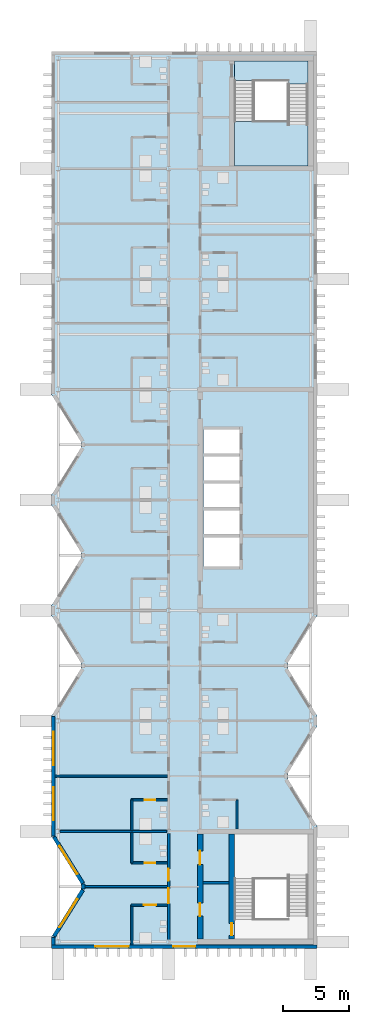
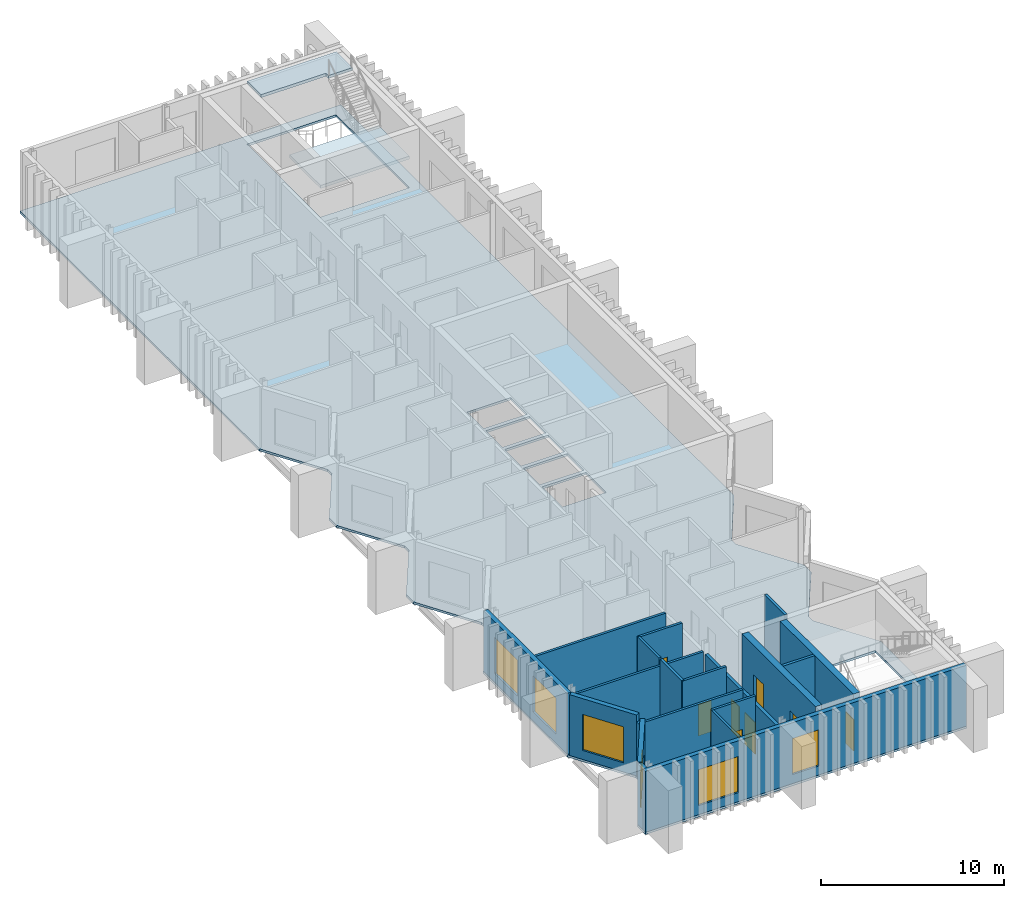
# One storey, part 4 of 11: 20 walls, 8 doors, 6 windows, 3 slabs, 14 openings, 1 element without a shape of its own.
"""IFC4 building model written with IfcOpenShell, lengths in metres."""

from ifc_helpers import new_model, si_unit, direction, frame, frame_2d, origin, place, context, subcontext, project, spatial, polyline, rectangle, outline, extrude, material, layer, layer_set, type_object, element, fill, aggregate, save


model = new_model("IFC4")

# Units and contexts
model_context = context("Model", 3, precision=1e-05, world=origin(), true_north=direction((0.0, 1.0)))
body_context = subcontext(model_context, "Body", "Model", "MODEL_VIEW")
ifc_project = project(units=[si_unit("LENGTHUNIT", "METRE"), si_unit("AREAUNIT", "SQUARE_METRE"), si_unit("VOLUMEUNIT", "CUBIC_METRE"), si_unit("PLANEANGLEUNIT", "RADIAN"), si_unit("MASSUNIT", "GRAM", prefix="KILO")], contexts=[model_context])

# Site, building, storey
site_placement = place(None, origin())
site = spatial("IfcSite", under=ifc_project, at=site_placement, CompositionType="ELEMENT")
building_placement = place(site_placement, origin())
building = spatial("IfcBuilding", under=site, at=building_placement, Name="Cresset Court Congress Hotel", CompositionType="ELEMENT")
storey_placement = place(building_placement, frame((0.0, 0.0, 52.199951171875)))
storey = spatial("IfcBuildingStorey", under=building, at=storey_placement, Name="L12", CompositionType="ELEMENT", Elevation=52.199951171875)

# Slab
ifc_material_1 = material(Name="Concrete C35", Category="concrete")
ifc_layer_1 = layer(ifc_material_1, 0.14990234375)
ifc_layer_set_1 = layer_set([ifc_layer_1], Name="Composite floor slab 150")
slab_type_1 = type_object("IfcSlabType", Name="Composite floor slab 150", PredefinedType="FLOOR", material=ifc_layer_set_1)
slab_1_placement = place(storey_placement, frame((0.0, 0.0, -0.14990234375)))
element("IfcSlab", 1, at=slab_1_placement, inside=storey, type_object=slab_type_1, Name="A.slab.L12", PredefinedType="FLOOR", context=body_context, shape_type="SweptSolid", body=[
    extrude(outline(polyline([(156.699951171875, -0.5), (176.89990234375, -0.5), (176.89990234375, 8.7900390625), (174.665283203125, 12.375), (174.665283203125, 12.824951171875), (176.89990234375, 16.409912109375), (176.89990234375, 17.190185546875), (174.665283203125, 20.77490234375), (174.665283203125, 21.22509765625), (176.89990234375, 24.809814453125), (176.89990234375, 67.699951171875), (156.699951171875, 67.699951171875), (156.699951171875, 41.60986328125), (158.934814453125, 38.02490234375), (158.934814453125, 37.574951171875), (156.699951171875, 33.989990234375), (156.699951171875, 33.2099609375), (158.934814453125, 29.625), (158.934814453125, 29.175048828125), (156.699951171875, 25.590087890625), (156.699951171875, 24.809814453125), (158.934814453125, 21.22509765625), (158.934814453125, 20.77490234375), (156.699951171875, 17.190185546875), (156.699951171875, 8.010009765625), (158.934814453125, 4.425048828125), (158.934814453125, 3.97509765625), (156.699951171875, 0.39013671875), (156.699951171875, -0.5)]), holes=[polyline([(170.60009765625, 0.199951171875), (176.199951171875, 0.199951171875), (176.199951171875, 8.199951171875), (170.60009765625, 8.199951171875), (170.60009765625, 0.199951171875)]), polyline([(170.60009765625, 59.0), (176.199951171875, 59.0), (176.199951171875, 67.0), (170.60009765625, 67.0), (170.60009765625, 59.0)]), polyline([(168.25, 28.550048828125), (171.0, 28.550048828125), (171.0, 30.75), (168.25, 30.75), (168.25, 28.550048828125)]), polyline([(168.25, 31.0), (171.0, 31.0), (171.0, 32.800048828125), (168.25, 32.800048828125), (168.25, 31.0)]), polyline([(168.25, 33.050048828125), (171.0, 33.050048828125), (171.0, 34.85009765625), (168.25, 34.85009765625), (168.25, 33.050048828125)]), polyline([(168.25, 35.10009765625), (171.0, 35.10009765625), (171.0, 36.89990234375), (168.25, 36.89990234375), (168.25, 35.10009765625)]), polyline([(168.25, 37.14990234375), (171.0, 37.14990234375), (171.0, 38.949951171875), (168.25, 38.949951171875), (168.25, 37.14990234375)])]), origin(), (0.0, 0.0, 1.0), 0.14990234375),
])

# Stair, slabs
ifc_material_2 = material(Name="Concrete C40", Category="concrete")
stair_type = type_object("IfcStairType", Name="Concrete dog-leg stair 5600", PredefinedType="HALF_TURN_STAIR", material=ifc_material_2)
stair_placement = place(storey_placement, origin())
stair = element("IfcStair", 2, at=stair_placement, inside=storey, type_object=stair_type, Name="Stair A2 L12", PredefinedType="HALF_TURN_STAIR")
ifc_material_3 = material(Name="Concrete C40", Category="concrete")
ifc_layer_2 = layer(ifc_material_3, 0.199951171875)
ifc_layer_set_2 = layer_set([ifc_layer_2], Name="Stair landing 200")
slab_type_2 = type_object("IfcSlabType", Name="Stair landing 200", PredefinedType="LANDING", material=ifc_layer_set_2)
slab_2_placement = place(storey_placement, frame((0.0, 0.0, 1.900146484375)))
slab_2 = element("IfcSlab", 3, at=slab_2_placement, type_object=slab_type_2, Name="A-ST1 landing 1", PredefinedType="LANDING", context=body_context, shape_type="SweptSolid", body=[
    extrude(outline(polyline([(170.60009765625, 62.380859375), (176.199951171875, 62.380859375), (176.199951171875, 59.0), (170.60009765625, 59.0), (170.60009765625, 62.380859375)])), origin(), (0.0, 0.0, 1.0), 0.199951171875),
])
slab_3_placement = place(storey_placement, frame((0.0, 0.0, 4.0)))
slab_3 = element("IfcSlab", 4, at=slab_3_placement, type_object=slab_type_2, Name="A-ST1 landing 2", PredefinedType="LANDING", context=body_context, shape_type="SweptSolid", body=[
    extrude(outline(polyline([(170.60009765625, 67.0), (176.199951171875, 67.0), (176.199951171875, 65.2392578125), (174.699951171875, 65.2392578125), (174.699951171875, 65.499267578125), (170.60009765625, 65.499267578125), (170.60009765625, 67.0)])), origin(), (0.0, 0.0, 1.0), 0.199951171875),
])
aggregate(stair, [slab_2, slab_3])

# Wall, openings, doors
ifc_material_4 = material(Name="Gypsum board partition")
ifc_layer_3 = layer(ifc_material_4, 0.199951171875)
ifc_layer_set_3 = layer_set([ifc_layer_3], Name="Corridor wall 200")
wall_type_1 = type_object("IfcWallType", Name="Corridor wall 200", PredefinedType="PARTITIONING", material=ifc_layer_set_3)
wall_1_placement = place(storey_placement, frame((165.60009765625, 0.14990234375, 0.0), z_axis=(0.0, 0.0, 1.0), x_axis=(0.0, 1.0, 0.0)))
wall_1 = element("IfcWall", 5, at=wall_1_placement, inside=storey, type_object=wall_type_1, Name="A.wl.L12.070", PredefinedType="PARTITIONING", context=body_context, shape_type="SweptSolid", body=[
    extrude(rectangle(XDim=8.10009765625, YDim=0.199951171875, at=frame_2d((4.050048828125, 0.0))), origin(), (0.0, 0.0, 1.0), 3.449951171875),
])
opening_1_placement = place(wall_1_placement, frame((2.77490234375, 0.0, 0.0)))
opening_1 = element("IfcOpeningElement", 6, at=opening_1_placement, cuts=wall_1, Name="Opening DA-12-02", PredefinedType="OPENING", context=body_context, shape_type="SweptSolid", body=[
    extrude(rectangle(XDim=1.14990234375, YDim=2.10009765625, at=frame_2d((0.574951171875, 1.050048828125))), frame((0.0, 0.10986328125, 0.0), z_axis=(0.0, -1.0, 0.0), x_axis=(1.0, 0.0, 0.0)), (0.0, 0.0, 1.0), 0.219970703125),
])
opening_2_placement = place(wall_1_placement, frame((4.5, 0.0, 0.0)))
opening_2 = element("IfcOpeningElement", 7, at=opening_2_placement, cuts=wall_1, Name="Opening DA-12-04", PredefinedType="OPENING", context=body_context, shape_type="SweptSolid", body=[
    extrude(rectangle(XDim=0.89990234375, YDim=2.10009765625, at=frame_2d((0.449951171875, 1.050048828125))), frame((0.0, 0.10986328125, 0.0), z_axis=(0.0, -1.0, 0.0), x_axis=(1.0, 0.0, 0.0)), (0.0, 0.0, 1.0), 0.219970703125),
])
ifc_material_5 = material(Name="timber", Category="wood")
door_type_1 = type_object("IfcDoorType", Name="Accessible guest-room entry door 1150x2100 FD30S", OperationType="SINGLE_SWING_LEFT", PredefinedType="DOOR", material=ifc_material_5)
door_1_placement = place(opening_1_placement, origin())
door_1 = element("IfcDoor", 8, at=door_1_placement, inside=storey, type_object=door_type_1, Name="Door DA-12-02", OperationType="SINGLE_SWING_RIGHT", OverallHeight=2.10009765625, OverallWidth=1.14990234375, PredefinedType="DOOR", context=body_context, shape_type="SweptSolid", body=[
    extrude(rectangle(XDim=1.14990234375, YDim=2.10009765625, at=frame_2d((0.574951171875, 1.050048828125))), frame((0.0, 0.02490234375, 0.0), z_axis=(0.0, -1.0, 0.0), x_axis=(1.0, 0.0, 0.0)), (0.0, 0.0, 1.0), 0.050048828125),
])
fill(opening_1, door_1)
ifc_material_6 = material(Name="timber", Category="wood")
door_type_2 = type_object("IfcDoorType", Name="Guest-room entry door 900x2100 FD30S", OperationType="SINGLE_SWING_LEFT", PredefinedType="DOOR", material=ifc_material_6)
door_2_placement = place(opening_2_placement, origin())
door_2 = element("IfcDoor", 9, at=door_2_placement, inside=storey, type_object=door_type_2, Name="Door DA-12-04", OperationType="SINGLE_SWING_LEFT", OverallHeight=2.10009765625, OverallWidth=0.89990234375, PredefinedType="DOOR", context=body_context, shape_type="SweptSolid", body=[
    extrude(rectangle(XDim=0.89990234375, YDim=2.10009765625, at=frame_2d((0.449951171875, 1.050048828125))), frame((0.0, 0.02490234375, 0.0), z_axis=(0.0, -1.0, 0.0), x_axis=(1.0, 0.0, 0.0)), (0.0, 0.0, 1.0), 0.050048828125),
])
fill(opening_2, door_2)

# Wall
ifc_material_7 = material(Name="Gypsum board partition")
ifc_layer_4 = layer(ifc_material_7, 0.14990234375)
ifc_layer_set_4 = layer_set([ifc_layer_4], Name="En-suite wall 150")
wall_type_2 = type_object("IfcWallType", Name="En-suite wall 150", PredefinedType="PARTITIONING", material=ifc_layer_set_4)
wall_2_placement = place(storey_placement, frame((162.800048828125, -0.219970703125, 0.0), z_axis=(0.0, 0.0, 1.0), x_axis=(0.0, 1.0, 0.0)))
element("IfcWall", 10, at=wall_2_placement, inside=storey, type_object=wall_type_2, Name="A.wl.L12.001", PredefinedType="PARTITIONING", context=body_context, shape_type="SweptSolid", body=[
    extrude(rectangle(XDim=3.02001953125, YDim=0.14990234375, at=frame_2d((1.510009765625, 0.0))), origin(), (0.0, 0.0, 1.0), 4.050048828125),
])

# Wall, opening, door
wall_3_placement = place(storey_placement, frame((162.75, 2.800048828125, 0.0), z_axis=(0.0, 0.0, 1.0), x_axis=(1.0, 0.0, 0.0)))
wall_3 = element("IfcWall", 11, at=wall_3_placement, inside=storey, type_object=wall_type_2, Name="A.wl.L12.002", PredefinedType="PARTITIONING", context=body_context, shape_type="SweptSolid", body=[
    extrude(rectangle(XDim=2.75, YDim=0.14990234375, at=frame_2d((1.375, 0.0))), origin(), (0.0, 0.0, 1.0), 4.050048828125),
])
opening_3_placement = place(wall_3_placement, frame((0.955078125, 0.0, 0.0)))
opening_3 = element("IfcOpeningElement", 12, at=opening_3_placement, cuts=wall_3, Name="Opening DA-12-01", PredefinedType="OPENING", context=body_context, shape_type="SweptSolid", body=[
    extrude(rectangle(XDim=0.949951171875, YDim=2.10009765625, at=frame_2d((0.47509765625, 1.050048828125))), frame((0.0, 0.0849609375, 0.0), z_axis=(0.0, -1.0, 0.0), x_axis=(1.0, 0.0, 0.0)), (0.0, 0.0, 1.0), 0.169921875),
])
ifc_material_8 = material(Name="timber", Category="wood")
door_type_3 = type_object("IfcDoorType", Name="Accessible en-suite door 950x2100", OperationType="SINGLE_SWING_LEFT", PredefinedType="DOOR", material=ifc_material_8)
door_3_placement = place(opening_3_placement, origin())
door_3 = element("IfcDoor", 13, at=door_3_placement, inside=storey, type_object=door_type_3, Name="Door DA-12-01", OperationType="SINGLE_SWING_RIGHT", OverallHeight=2.10009765625, OverallWidth=0.949951171875, PredefinedType="DOOR", context=body_context, shape_type="SweptSolid", body=[
    extrude(rectangle(XDim=0.949951171875, YDim=2.10009765625, at=frame_2d((0.47509765625, 1.050048828125))), frame((0.0, 0.02490234375, 0.0), z_axis=(0.0, -1.0, 0.0), x_axis=(1.0, 0.0, 0.0)), (0.0, 0.0, 1.0), 0.050048828125),
])
fill(opening_3, door_3)

# Wall
wall_4_placement = place(storey_placement, frame((162.800048828125, 6.0, 0.0), z_axis=(0.0, 0.0, 1.0), x_axis=(0.0, 1.0, 0.0)))
element("IfcWall", 14, at=wall_4_placement, inside=storey, type_object=wall_type_2, Name="A.wl.L12.003", PredefinedType="PARTITIONING", context=body_context, shape_type="SweptSolid", body=[
    extrude(rectangle(XDim=2.324951171875, YDim=0.14990234375, at=frame_2d((1.16259765625, 0.0))), origin(), (0.0, 0.0, 1.0), 4.050048828125),
])

# Wall, opening, door
wall_5_placement = place(storey_placement, frame((162.75, 6.0, 0.0), z_axis=(0.0, 0.0, 1.0), x_axis=(1.0, 0.0, 0.0)))
wall_5 = element("IfcWall", 15, at=wall_5_placement, inside=storey, type_object=wall_type_2, Name="A.wl.L12.004", PredefinedType="PARTITIONING", context=body_context, shape_type="SweptSolid", body=[
    extrude(rectangle(XDim=2.75, YDim=0.14990234375, at=frame_2d((1.375, 0.0))), origin(), (0.0, 0.0, 1.0), 4.050048828125),
])
opening_4_placement = place(wall_5_placement, frame((1.030029296875, 0.0, 0.0)))
opening_4 = element("IfcOpeningElement", 16, at=opening_4_placement, cuts=wall_5, Name="Opening DA-12-03", PredefinedType="OPENING", context=body_context, shape_type="SweptSolid", body=[
    extrude(rectangle(XDim=0.800048828125, YDim=2.10009765625, at=frame_2d((0.39990234375, 1.050048828125))), frame((0.0, 0.0849609375, 0.0), z_axis=(0.0, -1.0, 0.0), x_axis=(1.0, 0.0, 0.0)), (0.0, 0.0, 1.0), 0.169921875),
])
ifc_material_9 = material(Name="timber", Category="wood")
door_type_4 = type_object("IfcDoorType", Name="En-suite door 800x2100", OperationType="SINGLE_SWING_LEFT", PredefinedType="DOOR", material=ifc_material_9)
door_4_placement = place(opening_4_placement, origin())
door_4 = element("IfcDoor", 17, at=door_4_placement, inside=storey, type_object=door_type_4, Name="Door DA-12-03", OperationType="SINGLE_SWING_LEFT", OverallHeight=2.10009765625, OverallWidth=0.800048828125, PredefinedType="DOOR", context=body_context, shape_type="SweptSolid", body=[
    extrude(rectangle(XDim=0.800048828125, YDim=2.10009765625, at=frame_2d((0.39990234375, 1.050048828125))), frame((0.0, 0.02490234375, 0.0), z_axis=(0.0, -1.0, 0.0), x_axis=(1.0, 0.0, 0.0)), (0.0, 0.0, 1.0), 0.050048828125),
])
fill(opening_4, door_4)

# Wall
wall_6_placement = place(storey_placement, frame((162.800048828125, 8.47509765625, 0.0), z_axis=(0.0, 0.0, 1.0), x_axis=(0.0, 1.0, 0.0)))
element("IfcWall", 18, at=wall_6_placement, inside=storey, type_object=wall_type_2, Name="A.wl.L12.005", PredefinedType="PARTITIONING", context=body_context, shape_type="SweptSolid", body=[
    extrude(rectangle(XDim=2.324951171875, YDim=0.14990234375, at=frame_2d((1.16259765625, 0.0))), origin(), (0.0, 0.0, 1.0), 4.050048828125),
])

# Wall, opening, door
wall_7_placement = place(storey_placement, frame((162.75, 10.800048828125, 0.0), z_axis=(0.0, 0.0, 1.0), x_axis=(1.0, 0.0, 0.0)))
wall_7 = element("IfcWall", 19, at=wall_7_placement, inside=storey, type_object=wall_type_2, Name="A.wl.L12.006", PredefinedType="PARTITIONING", context=body_context, shape_type="SweptSolid", body=[
    extrude(rectangle(XDim=2.75, YDim=0.14990234375, at=frame_2d((1.375, 0.0))), origin(), (0.0, 0.0, 1.0), 4.050048828125),
])
opening_5_placement = place(wall_7_placement, frame((1.030029296875, 0.0, 0.0)))
opening_5 = element("IfcOpeningElement", 20, at=opening_5_placement, cuts=wall_7, Name="Opening DA-12-05", PredefinedType="OPENING", context=body_context, shape_type="SweptSolid", body=[
    extrude(rectangle(XDim=0.800048828125, YDim=2.10009765625, at=frame_2d((0.39990234375, 1.050048828125))), frame((0.0, 0.0849609375, 0.0), z_axis=(0.0, -1.0, 0.0), x_axis=(1.0, 0.0, 0.0)), (0.0, 0.0, 1.0), 0.169921875),
])
door_5_placement = place(opening_5_placement, origin())
door_5 = element("IfcDoor", 21, at=door_5_placement, inside=storey, type_object=door_type_4, Name="Door DA-12-05", OperationType="SINGLE_SWING_RIGHT", OverallHeight=2.10009765625, OverallWidth=0.800048828125, PredefinedType="DOOR", context=body_context, shape_type="SweptSolid", body=[
    extrude(rectangle(XDim=0.800048828125, YDim=2.10009765625, at=frame_2d((0.39990234375, 1.050048828125))), frame((0.0, 0.02490234375, 0.0), z_axis=(0.0, -1.0, 0.0), x_axis=(1.0, 0.0, 0.0)), (0.0, 0.0, 1.0), 0.050048828125),
])
fill(opening_5, door_5)

# Walls
wall_8_placement = place(storey_placement, frame((170.800048828125, 8.60009765625, 0.0), z_axis=(0.0, 0.0, 1.0), x_axis=(0.0, 1.0, 0.0)))
element("IfcWall", 22, at=wall_8_placement, inside=storey, type_object=wall_type_2, Name="A.wl.L12.033", PredefinedType="PARTITIONING", context=body_context, shape_type="SweptSolid", body=[
    extrude(rectangle(XDim=2.199951171875, YDim=0.14990234375, at=frame_2d((1.10009765625, 0.0))), origin(), (0.0, 0.0, 1.0), 4.050048828125),
])
ifc_material_10 = material(Name="Precast concrete C50", Category="concrete")
ifc_layer_5 = layer(ifc_material_10, 0.280029296875)
ifc_layer_set_5 = layer_set([ifc_layer_5], Name="External wall 280")
wall_type_3 = type_object("IfcWallType", Name="External wall 280", PredefinedType="SOLIDWALL", material=ifc_layer_set_5)
wall_9_placement = place(storey_placement, frame((156.840087890625, -0.219970703125, 0.0), z_axis=(0.0, 0.0, 1.0), x_axis=(0.0, 1.0, 0.0)))
element("IfcWall", 23, at=wall_9_placement, inside=storey, type_object=wall_type_3, Name="A.ew.L12.W.1", PredefinedType="SOLIDWALL", context=body_context, shape_type="SweptSolid", body=[
    extrude(rectangle(XDim=0.570068359375, YDim=0.280029296875, at=frame_2d((0.28515625, 0.0))), origin(), (0.0, 0.0, 1.0), 4.050048828125),
])

# Wall, opening, window
wall_10_placement = place(storey_placement, frame((156.88623046875, 0.424072265625, 0.0), z_axis=(0.0, 0.0, 1.0), x_axis=(0.529018946142, 0.848610013271, 0.0)))
wall_10 = element("IfcWall", 24, at=wall_10_placement, inside=storey, type_object=wall_type_3, Name="A.ew.L12.Wn.0.0", PredefinedType="SOLIDWALL", context=body_context, shape_type="SweptSolid", body=[
    extrude(rectangle(XDim=4.144287109375, YDim=0.280029296875, at=frame_2d((2.072265625, 0.0))), origin(), (0.0, 0.0, 1.0), 4.050048828125),
])
opening_6_placement = place(wall_10_placement, frame((0.812255859375, 0.0, 0.449951171875)))
opening_6 = element("IfcOpeningElement", 25, at=opening_6_placement, cuts=wall_10, Name="Opening NA-12-01", PredefinedType="OPENING", context=body_context, shape_type="SweptSolid", body=[
    extrude(rectangle(XDim=2.52001953125, YDim=2.10009765625, at=frame_2d((1.260009765625, 1.050048828125))), frame((0.0, 0.14990234375, 0.0), z_axis=(0.0, -1.0, 0.0), x_axis=(1.0, 0.0, 0.0)), (0.0, 0.0, 1.0), 0.300048828125),
])
ifc_material_11 = material(Name="Aluminium and glass", Category="aluminium")
window_type_1 = type_object("IfcWindowType", Name="Window 2520x2100", PartitioningType="SINGLE_PANEL", PredefinedType="WINDOW", material=ifc_material_11)
window_1_placement = place(opening_6_placement, origin())
window_1 = element("IfcWindow", 26, at=window_1_placement, inside=storey, type_object=window_type_1, Name="Window NA-12-01", OverallHeight=2.10009765625, OverallWidth=2.52001953125, PartitioningType="SINGLE_PANEL", PredefinedType="WINDOW", context=body_context, shape_type="SweptSolid", body=[
    extrude(rectangle(XDim=2.52001953125, YDim=2.10009765625, at=frame_2d((1.260009765625, 1.050048828125))), frame((0.0, 0.030029296875, 0.0), z_axis=(0.0, -1.0, 0.0), x_axis=(1.0, 0.0, 0.0)), (0.0, 0.0, 1.0), 0.06005859375),
])
fill(opening_6, window_1)

wall_11_placement = place(storey_placement, frame((159.07861328125, 4.458984375, 0.0), z_axis=(0.0, 0.0, 1.0), x_axis=(-0.529018946142, 0.848610013271, 0.0)))
wall_11 = element("IfcWall", 27, at=wall_11_placement, inside=storey, type_object=wall_type_3, Name="A.ew.L12.Wn.0.1", PredefinedType="SOLIDWALL", context=body_context, shape_type="SweptSolid", body=[
    extrude(rectangle(XDim=4.144287109375, YDim=0.280029296875, at=frame_2d((2.072265625, 0.0))), origin(), (0.0, 0.0, 1.0), 4.050048828125),
])
opening_7_placement = place(wall_11_placement, frame((0.812255859375, 0.0, 0.60009765625)))
opening_7 = element("IfcOpeningElement", 28, at=opening_7_placement, cuts=wall_11, Name="Opening NA-12-02", PredefinedType="OPENING", context=body_context, shape_type="SweptSolid", body=[
    extrude(rectangle(XDim=2.52001953125, YDim=2.39990234375, at=frame_2d((1.260009765625, 1.199951171875))), frame((0.0, 0.14990234375, 0.0), z_axis=(0.0, -1.0, 0.0), x_axis=(1.0, 0.0, 0.0)), (0.0, 0.0, 1.0), 0.300048828125),
])
ifc_material_12 = material(Name="Aluminium and glass", Category="aluminium")
window_type_2 = type_object("IfcWindowType", Name="Window 2520x2400", PartitioningType="SINGLE_PANEL", PredefinedType="WINDOW", material=ifc_material_12)
window_2_placement = place(opening_7_placement, origin())
window_2 = element("IfcWindow", 29, at=window_2_placement, inside=storey, type_object=window_type_2, Name="Window NA-12-02", OverallHeight=2.39990234375, OverallWidth=2.52001953125, PartitioningType="SINGLE_PANEL", PredefinedType="WINDOW", context=body_context, shape_type="SweptSolid", body=[
    extrude(rectangle(XDim=2.52001953125, YDim=2.39990234375, at=frame_2d((1.260009765625, 1.199951171875))), frame((0.0, 0.030029296875, 0.0), z_axis=(0.0, -1.0, 0.0), x_axis=(1.0, 0.0, 0.0)), (0.0, 0.0, 1.0), 0.06005859375),
])
fill(opening_7, window_2)

# Wall
wall_12_placement = place(storey_placement, frame((159.099609375, 4.01513671875, 0.0), z_axis=(0.0, 0.0, 1.0), x_axis=(0.0, 1.0, 0.0)))
element("IfcWall", 30, at=wall_12_placement, inside=storey, type_object=wall_type_3, Name="A.ew.L12.Wn.0.2", PredefinedType="SOLIDWALL", context=body_context, shape_type="SweptSolid", body=[
    extrude(rectangle(XDim=0.369873046875, YDim=0.280029296875, at=frame_2d((0.18505859375, 0.0))), origin(), (0.0, 0.0, 1.0), 3.60400390625),
])

# Wall, openings, windows
wall_13_placement = place(storey_placement, frame((156.840087890625, 8.050048828125, 0.0), z_axis=(0.0, 0.0, 1.0), x_axis=(0.0, 1.0, 0.0)))
wall_13 = element("IfcWall", 31, at=wall_13_placement, inside=storey, type_object=wall_type_3, Name="A.ew.L12.W.2", PredefinedType="SOLIDWALL", context=body_context, shape_type="SweptSolid", body=[
    extrude(rectangle(XDim=9.099853515625, YDim=0.280029296875, at=frame_2d((4.5498046875, 0.0))), origin(), (0.0, 0.0, 1.0), 4.050048828125),
])
opening_8_placement = place(wall_13_placement, frame((1.18994140625, 0.0, 0.60009765625)))
opening_8 = element("IfcOpeningElement", 32, at=opening_8_placement, cuts=wall_13, Name="Opening NA-12-03", PredefinedType="OPENING", context=body_context, shape_type="SweptSolid", body=[
    extrude(rectangle(XDim=2.52001953125, YDim=2.39990234375, at=frame_2d((1.260009765625, 1.199951171875))), frame((0.0, 0.14990234375, 0.0), z_axis=(0.0, -1.0, 0.0), x_axis=(1.0, 0.0, 0.0)), (0.0, 0.0, 1.0), 0.300048828125),
])
opening_9_placement = place(wall_13_placement, frame((5.389892578125, 0.0, 0.60009765625)))
opening_9 = element("IfcOpeningElement", 33, at=opening_9_placement, cuts=wall_13, Name="Opening NA-12-04", PredefinedType="OPENING", context=body_context, shape_type="SweptSolid", body=[
    extrude(rectangle(XDim=2.52001953125, YDim=2.39990234375, at=frame_2d((1.260009765625, 1.199951171875))), frame((0.0, 0.14990234375, 0.0), z_axis=(0.0, -1.0, 0.0), x_axis=(1.0, 0.0, 0.0)), (0.0, 0.0, 1.0), 0.300048828125),
])
window_3_placement = place(opening_8_placement, origin())
window_3 = element("IfcWindow", 34, at=window_3_placement, inside=storey, type_object=window_type_2, Name="Window NA-12-03", OverallHeight=2.39990234375, OverallWidth=2.52001953125, PartitioningType="SINGLE_PANEL", PredefinedType="WINDOW", context=body_context, shape_type="SweptSolid", body=[
    extrude(rectangle(XDim=2.52001953125, YDim=2.39990234375, at=frame_2d((1.260009765625, 1.199951171875))), frame((0.0, 0.030029296875, 0.0), z_axis=(0.0, -1.0, 0.0), x_axis=(1.0, 0.0, 0.0)), (0.0, 0.0, 1.0), 0.06005859375),
])
fill(opening_8, window_3)
window_4_placement = place(opening_9_placement, origin())
window_4 = element("IfcWindow", 35, at=window_4_placement, inside=storey, type_object=window_type_2, Name="Window NA-12-04", OverallHeight=2.39990234375, OverallWidth=2.52001953125, PartitioningType="SINGLE_PANEL", PredefinedType="WINDOW", context=body_context, shape_type="SweptSolid", body=[
    extrude(rectangle(XDim=2.52001953125, YDim=2.39990234375, at=frame_2d((1.260009765625, 1.199951171875))), frame((0.0, 0.030029296875, 0.0), z_axis=(0.0, -1.0, 0.0), x_axis=(1.0, 0.0, 0.0)), (0.0, 0.0, 1.0), 0.06005859375),
])
fill(opening_9, window_4)

ifc_material_13 = material(Name="Precast concrete C50", Category="concrete")
ifc_layer_6 = layer(ifc_material_13, 0.280029296875)
ifc_layer_set_6 = layer_set([ifc_layer_6], Name="Gable end wall 280")
wall_type_4 = type_object("IfcWallType", Name="Gable end wall 280", PredefinedType="SOLIDWALL", material=ifc_layer_set_6)
wall_14_placement = place(storey_placement, frame((156.699951171875, -0.360107421875, 0.0), z_axis=(0.0, 0.0, 1.0), x_axis=(1.0, 0.0, 0.0)))
wall_14 = element("IfcWall", 36, at=wall_14_placement, inside=storey, type_object=wall_type_4, Name="A.ew.L12.S.1", PredefinedType="SOLIDWALL", context=body_context, shape_type="SweptSolid", body=[
    extrude(rectangle(XDim=20.199951171875, YDim=0.280029296875, at=frame_2d((10.10009765625, 0.0))), origin(), (0.0, 0.0, 1.0), 4.050048828125),
])
opening_10_placement = place(wall_14_placement, frame((9.260009765625, 0.0, 0.60009765625)))
opening_10 = element("IfcOpeningElement", 37, at=opening_10_placement, cuts=wall_14, Name="Opening NA-12-25", PredefinedType="OPENING", context=body_context, shape_type="SweptSolid", body=[
    extrude(rectangle(XDim=1.679931640625, YDim=2.39990234375, at=frame_2d((0.83984375, 1.199951171875))), frame((0.0, 0.14990234375, 0.0), z_axis=(0.0, -1.0, 0.0), x_axis=(1.0, 0.0, 0.0)), (0.0, 0.0, 1.0), 0.300048828125),
])
opening_11_placement = place(wall_14_placement, frame((3.340087890625, 0.0, 0.60009765625)))
opening_11 = element("IfcOpeningElement", 38, at=opening_11_placement, cuts=wall_14, Name="Opening NA-12-26", PredefinedType="OPENING", context=body_context, shape_type="SweptSolid", body=[
    extrude(rectangle(XDim=2.52001953125, YDim=2.39990234375, at=frame_2d((1.260009765625, 1.199951171875))), frame((0.0, 0.14990234375, 0.0), z_axis=(0.0, -1.0, 0.0), x_axis=(1.0, 0.0, 0.0)), (0.0, 0.0, 1.0), 0.300048828125),
])
ifc_material_14 = material(Name="Aluminium and glass", Category="aluminium")
window_type_3 = type_object("IfcWindowType", Name="Window 1680x2400", PartitioningType="SINGLE_PANEL", PredefinedType="WINDOW", material=ifc_material_14)
window_5_placement = place(opening_10_placement, origin())
window_5 = element("IfcWindow", 39, at=window_5_placement, inside=storey, type_object=window_type_3, Name="Window NA-12-25", OverallHeight=2.39990234375, OverallWidth=1.679931640625, PartitioningType="SINGLE_PANEL", PredefinedType="WINDOW", context=body_context, shape_type="SweptSolid", body=[
    extrude(rectangle(XDim=1.679931640625, YDim=2.39990234375, at=frame_2d((0.83984375, 1.199951171875))), frame((0.0, 0.030029296875, 0.0), z_axis=(0.0, -1.0, 0.0), x_axis=(1.0, 0.0, 0.0)), (0.0, 0.0, 1.0), 0.06005859375),
])
fill(opening_10, window_5)
window_6_placement = place(opening_11_placement, origin())
window_6 = element("IfcWindow", 40, at=window_6_placement, inside=storey, type_object=window_type_2, Name="Window NA-12-26", OverallHeight=2.39990234375, OverallWidth=2.52001953125, PartitioningType="SINGLE_PANEL", PredefinedType="WINDOW", context=body_context, shape_type="SweptSolid", body=[
    extrude(rectangle(XDim=2.52001953125, YDim=2.39990234375, at=frame_2d((1.260009765625, 1.199951171875))), frame((0.0, 0.030029296875, 0.0), z_axis=(0.0, -1.0, 0.0), x_axis=(1.0, 0.0, 0.0)), (0.0, 0.0, 1.0), 0.06005859375),
])
fill(opening_11, window_6)

# Walls
ifc_material_15 = material(Name="Gypsum board partition")
ifc_layer_7 = layer(ifc_material_15, 0.14990234375)
ifc_layer_set_7 = layer_set([ifc_layer_7], Name="Guest-room partition 150")
wall_type_5 = type_object("IfcWallType", Name="Guest-room partition 150", PredefinedType="PARTITIONING", material=ifc_layer_set_7)
wall_15_placement = place(storey_placement, frame((157.35009765625, 8.39990234375, 0.0), z_axis=(0.0, 0.0, 1.0), x_axis=(1.0, 0.0, 0.0)))
element("IfcWall", 41, at=wall_15_placement, inside=storey, type_object=wall_type_5, Name="A.wl.L12.049", PredefinedType="PARTITIONING", context=body_context, shape_type="SweptSolid", body=[
    extrude(rectangle(XDim=8.099853515625, YDim=0.14990234375, at=frame_2d((4.0498046875, 0.0))), origin(), (0.0, 0.0, 1.0), 3.60400390625),
])
wall_16_placement = place(storey_placement, frame((159.23974609375, 4.199951171875, 0.0), z_axis=(0.0, 0.0, 1.0), x_axis=(1.0, 0.0, 0.0)))
element("IfcWall", 42, at=wall_16_placement, inside=storey, type_object=wall_type_5, Name="A.wl.L12.058", PredefinedType="PARTITIONING", context=body_context, shape_type="SweptSolid", body=[
    extrude(rectangle(XDim=6.26025390625, YDim=0.14990234375, at=frame_2d((3.130126953125, 0.0))), origin(), (0.0, 0.0, 1.0), 3.60400390625),
])
wall_17_placement = place(storey_placement, frame((156.97998046875, 12.60009765625, 0.0), z_axis=(0.0, 0.0, 1.0), x_axis=(1.0, 0.0, 0.0)))
element("IfcWall", 43, at=wall_17_placement, inside=storey, type_object=wall_type_5, Name="A.wl.L12.059", PredefinedType="PARTITIONING", context=body_context, shape_type="SweptSolid", body=[
    extrude(rectangle(XDim=8.52001953125, YDim=0.14990234375, at=frame_2d((4.260009765625, 0.0))), origin(), (0.0, 0.0, 1.0), 3.60400390625),
])
ifc_material_16 = material(Name="Concrete block wall", Category="concrete")
ifc_layer_8 = layer(ifc_material_16, 0.175048828125)
ifc_layer_set_8 = layer_set([ifc_layer_8], Name="Riser shaft wall 175")
wall_type_6 = type_object("IfcWallType", Name="Riser shaft wall 175", PredefinedType="PARTITIONING", material=ifc_layer_set_8)
wall_18_placement = place(storey_placement, frame((168.199951171875, 4.5, 0.0), z_axis=(0.0, 0.0, 1.0), x_axis=(1.0, 0.0, 0.0)))
element("IfcWall", 44, at=wall_18_placement, inside=storey, type_object=wall_type_6, Name="A.wl.L12.083", PredefinedType="PARTITIONING", context=body_context, shape_type="SweptSolid", body=[
    extrude(rectangle(XDim=2.0, YDim=0.175048828125, at=frame_2d((1.0, 0.0))), origin(), (0.0, 0.0, 1.0), 4.050048828125),
])

# Wall, openings, doors
ifc_material_17 = material(Name="Concrete C50", Category="concrete")
ifc_layer_9 = layer(ifc_material_17, 0.39990234375)
ifc_layer_set_9 = layer_set([ifc_layer_9], Name="Stair core wall 400")
wall_type_7 = type_object("IfcWallType", Name="Stair core wall 400", PredefinedType="SOLIDWALL", material=ifc_layer_set_9)
wall_19_placement = place(storey_placement, frame((168.0, 0.199951171875, 0.0), z_axis=(0.0, 0.0, 1.0), x_axis=(0.0, 1.0, 0.0)))
wall_19 = element("IfcWall", 45, at=wall_19_placement, inside=storey, type_object=wall_type_7, Name="A.cw.ST-A1.L12.W", PredefinedType="SOLIDWALL", context=body_context, shape_type="SweptSolid", body=[
    extrude(rectangle(XDim=8.0, YDim=0.39990234375, at=frame_2d((4.0, 0.0))), origin(), (0.0, 0.0, 1.0), 4.050048828125),
])
opening_12_placement = place(wall_19_placement, frame((1.75, 0.0, 0.0)))
opening_12 = element("IfcOpeningElement", 46, at=opening_12_placement, cuts=wall_19, Name="Opening DA-12-50", PredefinedType="OPENING", context=body_context, shape_type="SweptSolid", body=[
    extrude(rectangle(XDim=1.0, YDim=2.10009765625, at=frame_2d((0.5, 1.050048828125))), frame((0.0, 0.2099609375, 0.0), z_axis=(0.0, -1.0, 0.0), x_axis=(1.0, 0.0, 0.0)), (0.0, 0.0, 1.0), 0.419921875),
])
opening_13_placement = place(wall_19_placement, frame((5.675048828125, 0.0, 0.0)))
opening_13 = element("IfcOpeningElement", 47, at=opening_13_placement, cuts=wall_19, Name="Opening DA-12-51", PredefinedType="OPENING", context=body_context, shape_type="SweptSolid", body=[
    extrude(rectangle(XDim=1.050048828125, YDim=2.10009765625, at=frame_2d((0.52490234375, 1.050048828125))), frame((0.0, 0.2099609375, 0.0), z_axis=(0.0, -1.0, 0.0), x_axis=(1.0, 0.0, 0.0)), (0.0, 0.0, 1.0), 0.419921875),
])
ifc_material_18 = material(Name="steel", Category="steel")
door_type_5 = type_object("IfcDoorType", Name="Housekeeping room door 1050x2100 FD30", OperationType="SINGLE_SWING_LEFT", PredefinedType="DOOR", material=ifc_material_18)
door_6_placement = place(opening_13_placement, origin())
door_6 = element("IfcDoor", 48, at=door_6_placement, inside=storey, type_object=door_type_5, Name="Door DA-12-51", OperationType="SINGLE_SWING_LEFT", OverallHeight=2.10009765625, OverallWidth=1.050048828125, PredefinedType="DOOR", context=body_context, shape_type="SweptSolid", body=[
    extrude(rectangle(XDim=1.050048828125, YDim=2.10009765625, at=frame_2d((0.52490234375, 1.050048828125))), frame((0.0, 0.02490234375, 0.0), z_axis=(0.0, -1.0, 0.0), x_axis=(1.0, 0.0, 0.0)), (0.0, 0.0, 1.0), 0.050048828125),
])
fill(opening_13, door_6)
ifc_material_19 = material(Name="steel", Category="steel")
door_type_6 = type_object("IfcDoorType", Name="Lobby door 1000x2100 FD60", OperationType="SINGLE_SWING_LEFT", PredefinedType="DOOR", material=ifc_material_19)
door_7_placement = place(opening_12_placement, origin())
door_7 = element("IfcDoor", 49, at=door_7_placement, inside=storey, type_object=door_type_6, Name="Door DA-12-50", OperationType="SINGLE_SWING_RIGHT", OverallHeight=2.10009765625, OverallWidth=1.0, PredefinedType="DOOR", context=body_context, shape_type="SweptSolid", body=[
    extrude(rectangle(XDim=1.0, YDim=2.10009765625, at=frame_2d((0.5, 1.050048828125))), frame((0.0, 0.02490234375, 0.0), z_axis=(0.0, -1.0, 0.0), x_axis=(1.0, 0.0, 0.0)), (0.0, 0.0, 1.0), 0.050048828125),
])
fill(opening_12, door_7)

# Wall, opening, door
wall_20_placement = place(storey_placement, frame((170.39990234375, 0.199951171875, 0.0), z_axis=(0.0, 0.0, 1.0), x_axis=(0.0, 1.0, 0.0)))
wall_20 = element("IfcWall", 50, at=wall_20_placement, inside=storey, type_object=wall_type_7, Name="A.wl.L12.082", PredefinedType="SOLIDWALL", context=body_context, shape_type="SweptSolid", body=[
    extrude(rectangle(XDim=8.0, YDim=0.39990234375, at=frame_2d((4.0, 0.0))), origin(), (0.0, 0.0, 1.0), 4.050048828125),
])
opening_14_placement = place(wall_20_placement, frame((0.300048828125, 0.0, 0.0)))
opening_14 = element("IfcOpeningElement", 51, at=opening_14_placement, cuts=wall_20, Name="Opening DA-12-49", PredefinedType="OPENING", context=body_context, shape_type="SweptSolid", body=[
    extrude(rectangle(XDim=0.89990234375, YDim=2.10009765625, at=frame_2d((0.449951171875, 1.050048828125))), frame((0.0, 0.2099609375, 0.0), z_axis=(0.0, -1.0, 0.0), x_axis=(1.0, 0.0, 0.0)), (0.0, 0.0, 1.0), 0.419921875),
])
ifc_material_20 = material(Name="steel", Category="steel")
door_type_7 = type_object("IfcDoorType", Name="Stair door 900x2100 FD60", OperationType="SINGLE_SWING_LEFT", PredefinedType="DOOR", material=ifc_material_20)
door_8_placement = place(opening_14_placement, origin())
door_8 = element("IfcDoor", 52, at=door_8_placement, inside=storey, type_object=door_type_7, Name="Door DA-12-49", OperationType="SINGLE_SWING_LEFT", OverallHeight=2.10009765625, OverallWidth=0.89990234375, PredefinedType="DOOR", context=body_context, shape_type="SweptSolid", body=[
    extrude(rectangle(XDim=0.89990234375, YDim=2.10009765625, at=frame_2d((0.449951171875, 1.050048828125))), frame((0.0, 0.02490234375, 0.0), z_axis=(0.0, -1.0, 0.0), x_axis=(1.0, 0.0, 0.0)), (0.0, 0.0, 1.0), 0.050048828125),
])
fill(opening_14, door_8)

save(model, "model.ifc")
